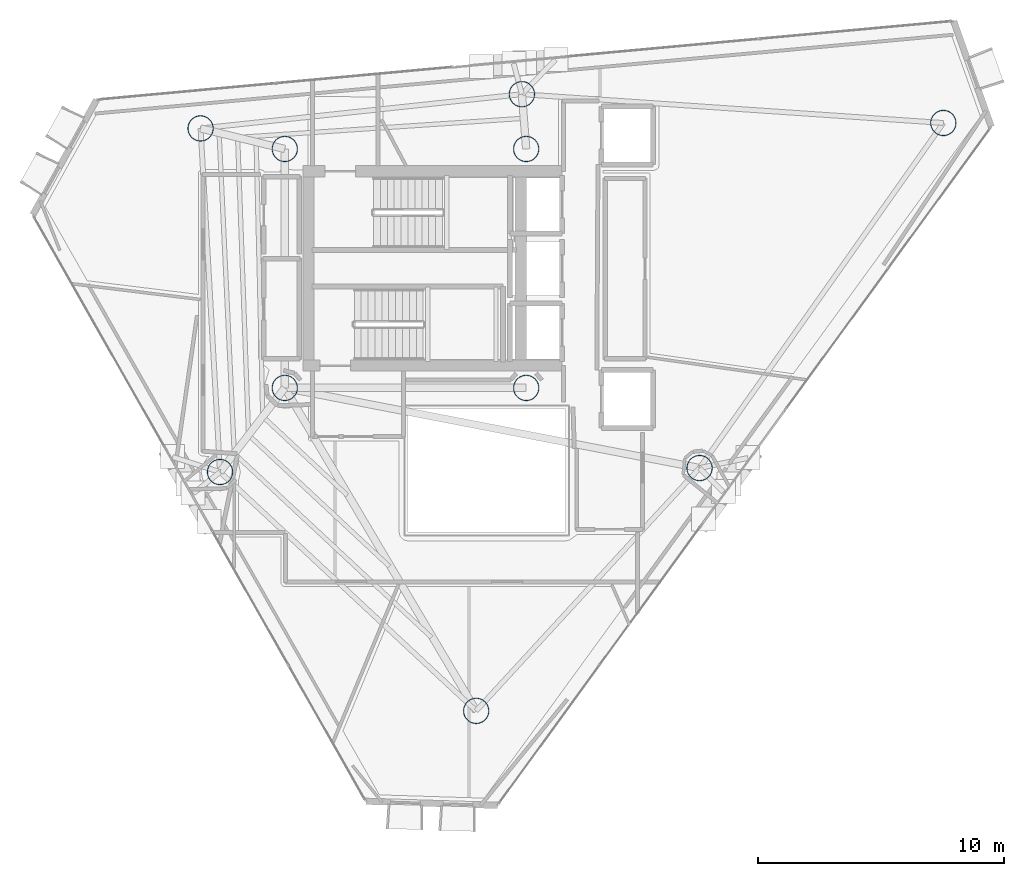
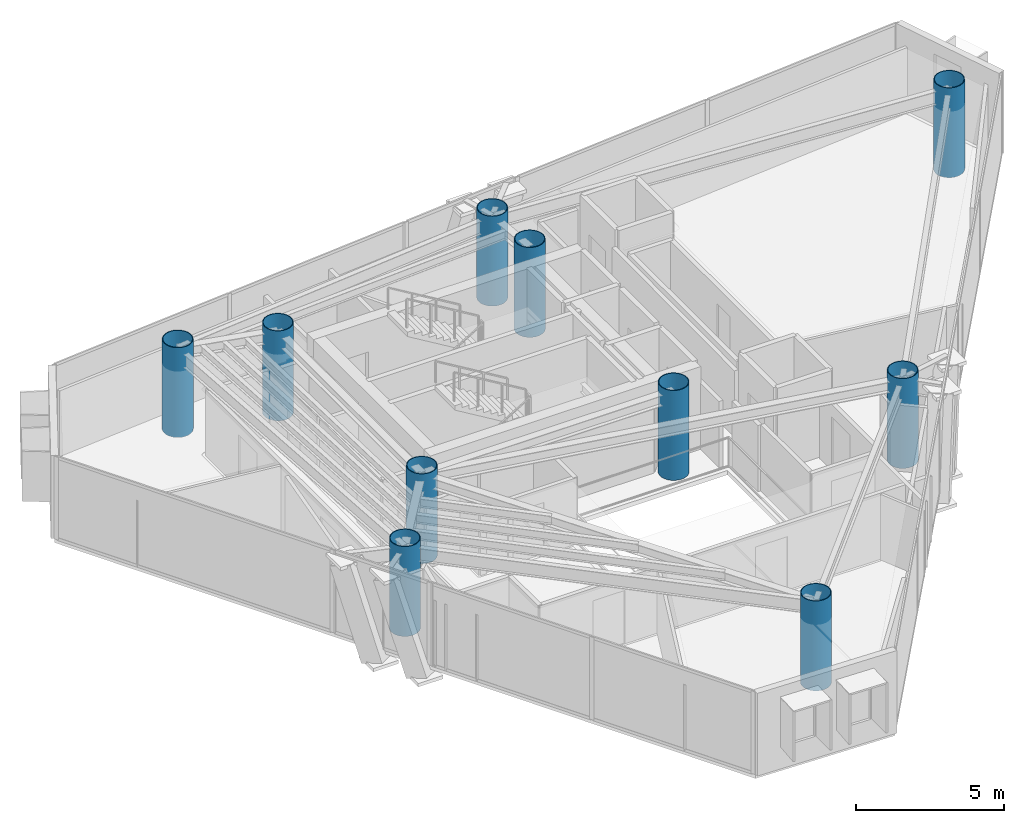
# One storey, part 1 of 21: 10 columns.
"""IFC4 building model written with IfcOpenShell, lengths in metres."""

from ifc_helpers import new_model, si_unit, direction, frame, origin, origin_2d, place, context, subcontext, project, spatial, hollow_circle, extrude, material, material_profile, profile_set, type_object, element, save


model = new_model("IFC4")

# Units and contexts
model_context = context("Model", 3, precision=1e-05, world=origin(), true_north=direction((0.0, 1.0)))
body_context = subcontext(model_context, "Body", "Model", "MODEL_VIEW")
ifc_project = project(units=[si_unit("LENGTHUNIT", "METRE"), si_unit("AREAUNIT", "SQUARE_METRE"), si_unit("VOLUMEUNIT", "CUBIC_METRE"), si_unit("PLANEANGLEUNIT", "RADIAN"), si_unit("MASSUNIT", "GRAM", prefix="KILO")], contexts=[model_context])

# Site, building, storey
site_placement = place(None, origin())
site = spatial("IfcSite", under=ifc_project, at=site_placement, CompositionType="ELEMENT")
building_placement = place(site_placement, origin())
building = spatial("IfcBuilding", under=site, at=building_placement, Name="Qianvela Tower", CompositionType="ELEMENT")
storey_placement = place(building_placement, frame((0.0, 0.0, 272.300048828125)))
storey = spatial("IfcBuildingStorey", under=building, at=storey_placement, Name="L70", CompositionType="ELEMENT", Elevation=272.300048828125)

# Columns
ifc_material = material(Name="Steel Q420GJC", Category="steel")
ifc_material_profile = material_profile(ifc_material, hollow_circle(Radius=0.52490234375, WallThickness=0.028076171875, at=origin_2d()), Name="CFT-1050x28")
ifc_profile_set = profile_set([ifc_material_profile], Name="Steel Q420GJC")
column_type = type_object("IfcColumnType", Name="COL-CFT-1050x28", PredefinedType="COLUMN", material=ifc_profile_set)
for number, where, z_axis, x_axis, name in (
    (1, (28.60009765625, 33.550048828125, 0.0), (0.0, 0.0, 1.0), (1.0, 0.0, 0.0), "L70 Core Corner Mega-Column CC-NW"),
    (2, (28.60009765625, 23.85009765625, 0.0), (0.0, 0.0, 1.0), (1.0, 0.0, 0.0), "L70 Core Corner Mega-Column CC-SW"),
    (3, (38.39990234375, 33.550048828125, 0.0), (0.0, 0.0, 1.0), (1.0, 0.0, 0.0), "L70 Core Corner Mega-Column CC-NE"),
    (4, (38.39990234375, 23.85009765625, 0.0), (0.0, 0.0, 1.0), (1.0, 0.0, 0.0), "L70 Core Corner Mega-Column CC-SE"),
    (5, (55.33203125, 34.60498046875, 0.0), (0.0, 0.0, 1.0), (1.0, 0.0, 0.0), "L70 Zone Z6 CFT Mega-Column C1"),
    (6, (38.22509765625, 35.77294921875, 0.0), (0.0, 0.0, 1.0), (1.0, 0.0, 0.0), "L70 Zone Z6 CFT Mega-Column C2"),
    (7, (25.181884765625, 34.384033203125, 0.0), (0.0, 0.0, 1.0), (1.0, 0.0, 0.0), "L70 Zone Z6 CFT Mega-Column C3"),
    (8, (25.971923828125, 20.43701171875, 0.0), (0.0, 0.0, 1.0), (1.0, 0.0, 0.0), "L70 Zone Z6 CFT Mega-Column C4"),
    (9, (36.368896484375, 10.741943359375, 0.0), (0.0, 0.0, 1.0), (1.0, 0.0, 0.0), "L70 Zone Z6 CFT Mega-Column C5"),
    (10, (45.43603515625, 20.597900390625, 0.0), (0.0, 0.0, 1.0), (1.0, 0.0, 0.0), "L70 Zone Z6 CFT Mega-Column C6"),
):
    element("IfcColumn", number, at=place(storey_placement, frame(where, z_axis=z_axis, x_axis=x_axis)), inside=storey, type_object=column_type, Name=name, PredefinedType="COLUMN", context=body_context, shape_type="SweptSolid", body=[
        extrude(hollow_circle(Radius=0.52490234375, WallThickness=0.028076171875, at=origin_2d()), origin(), (0.0, 0.0, 1.0), 3.699951171875),
    ])

save(model, "model.ifc")
